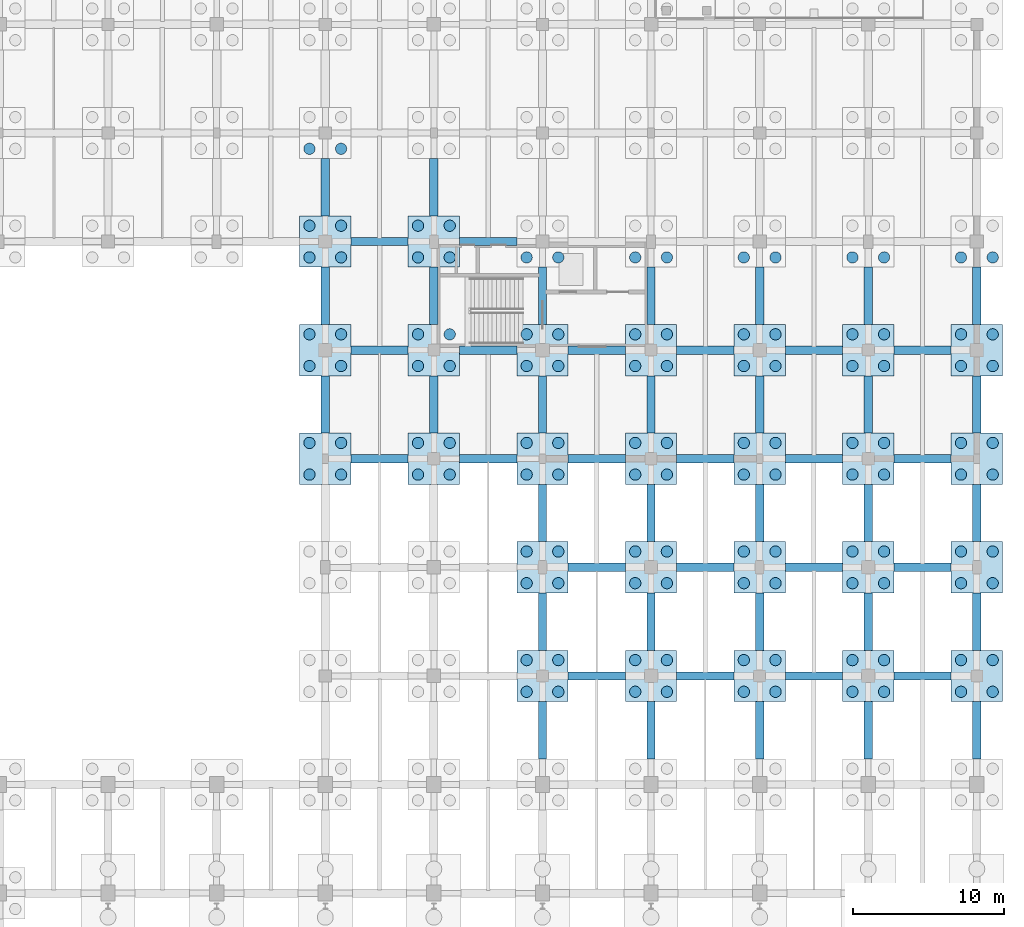
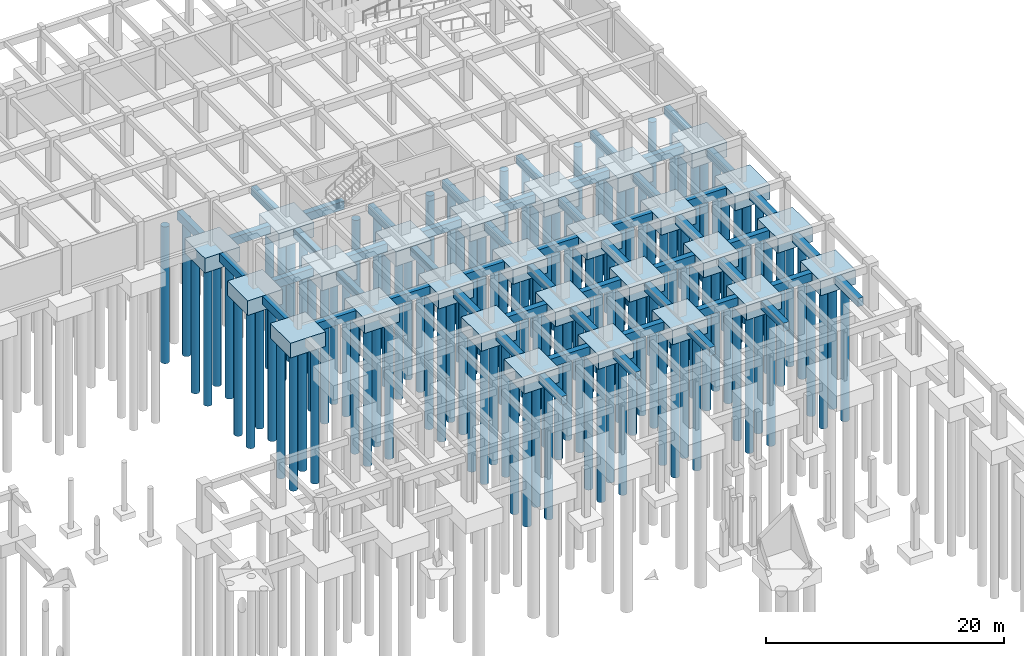
# One storey, part 12 of 47: 116 piles, 79 footings.
"""IFC4 building model written with IfcOpenShell, lengths in metres."""

from ifc_helpers import new_model, si_unit, direction, frame, origin, origin_2d, place, context, subcontext, project, spatial, rectangle, circle, extrude, material, material_profile, profile_set, type_object, element, save


model = new_model("IFC4")

# Units and contexts
model_context = context("Model", 3, precision=1e-05, world=origin(), true_north=direction((0.0, 1.0)))
body_context = subcontext(model_context, "Body", "Model", "MODEL_VIEW")
ifc_project = project(units=[si_unit("LENGTHUNIT", "METRE"), si_unit("AREAUNIT", "SQUARE_METRE"), si_unit("VOLUMEUNIT", "CUBIC_METRE"), si_unit("PLANEANGLEUNIT", "RADIAN"), si_unit("MASSUNIT", "GRAM", prefix="KILO")], contexts=[model_context])

# Site, building, storey
site_placement = place(None, origin())
site = spatial("IfcSite", under=ifc_project, at=site_placement, CompositionType="ELEMENT")
building_placement = place(site_placement, origin())
building = spatial("IfcBuilding", under=site, at=building_placement, Name="Thalmaran Polytechnic", CompositionType="ELEMENT")
storey_placement = place(building_placement, frame((0.0, 0.0, -4.5)))
storey = spatial("IfcBuildingStorey", under=building, at=storey_placement, Name="B1", CompositionType="ELEMENT", Elevation=-4.5)

# Footings
ifc_material_1 = material(Name="Concrete C40/50", Category="concrete")
ifc_material_profile_1 = material_profile(ifc_material_1, rectangle(XDim=0.550048828125, YDim=0.85009765625, at=origin_2d()), Name="RC 550x850")
ifc_profile_set_1 = profile_set([ifc_material_profile_1], Name="Concrete C40/50")
footing_type_1 = type_object("IfcFootingType", Name="FN-GB01", PredefinedType="FOOTING_BEAM", material=ifc_profile_set_1)
for number, where, z_axis, x_axis, name in (
    (1, (131.300048828125, 79.199951171875, -0.875), (1.0, 0.0, 0.0), (0.0, 1.0, 0.0), "Ground Tie Beam B1 X (18,11)"),
    (2, (129.60009765625, 80.89990234375, -0.875), (0.0, 1.0, 0.0), (-1.0, 0.0, 0.0), "Ground Tie Beam B1 Y (18,11)"),
    (3, (131.300048828125, 86.39990234375, -0.875), (1.0, 0.0, 0.0), (0.0, 1.0, 0.0), "Ground Tie Beam B1 X (18,12)"),
):
    element("IfcFooting", number, at=place(storey_placement, frame(where, z_axis=z_axis, x_axis=x_axis)), inside=storey, type_object=footing_type_1, Name=name, PredefinedType="FOOTING_BEAM", context=body_context, shape_type="SweptSolid", body=[
        extrude(rectangle(XDim=0.550048828125, YDim=0.85009765625, at=origin_2d()), origin(), (0.0, 0.0, 1.0), 3.800048828125),
    ])
footing_1_placement = place(storey_placement, frame((129.60009765625, 88.10009765625, -0.875), z_axis=(0.0, 1.0, 0.0), x_axis=(-1.0, 0.0, 0.0)))
element("IfcFooting", 4, at=footing_1_placement, inside=storey, type_object=footing_type_1, Name="Ground Tie Beam B1 Y (18,12)", PredefinedType="FOOTING_BEAM", context=body_context, shape_type="SweptSolid", body=[
    extrude(rectangle(XDim=0.550048828125, YDim=0.85009765625, at=origin_2d()), origin(), (0.0, 0.0, 1.0), 3.7998046875),
])
for number, where, z_axis, x_axis, name in (
    (5, (131.300048828125, 93.60009765625, -0.875), (1.0, 0.0, 0.0), (0.0, 1.0, 0.0), "Ground Tie Beam B1 X (18,13)"),
    (6, (129.60009765625, 95.300048828125, -0.875), (0.0, 1.0, 0.0), (-1.0, 0.0, 0.0), "Ground Tie Beam B1 Y (18,13)"),
    (7, (138.5, 79.199951171875, -0.875), (1.0, 0.0, 0.0), (0.0, 1.0, 0.0), "Ground Tie Beam B1 X (19,11)"),
    (8, (136.800048828125, 80.89990234375, -0.875), (0.0, 1.0, 0.0), (-1.0, 0.0, 0.0), "Ground Tie Beam B1 Y (19,11)"),
    (9, (138.5, 86.39990234375, -0.875), (1.0, 0.0, 0.0), (0.0, 1.0, 0.0), "Ground Tie Beam B1 X (19,12)"),
):
    element("IfcFooting", number, at=place(storey_placement, frame(where, z_axis=z_axis, x_axis=x_axis)), inside=storey, type_object=footing_type_1, Name=name, PredefinedType="FOOTING_BEAM", context=body_context, shape_type="SweptSolid", body=[
        extrude(rectangle(XDim=0.550048828125, YDim=0.85009765625, at=origin_2d()), origin(), (0.0, 0.0, 1.0), 3.800048828125),
    ])
footing_2_placement = place(storey_placement, frame((136.800048828125, 88.10009765625, -0.875), z_axis=(0.0, 1.0, 0.0), x_axis=(-1.0, 0.0, 0.0)))
element("IfcFooting", 10, at=footing_2_placement, inside=storey, type_object=footing_type_1, Name="Ground Tie Beam B1 Y (19,12)", PredefinedType="FOOTING_BEAM", context=body_context, shape_type="SweptSolid", body=[
    extrude(rectangle(XDim=0.550048828125, YDim=0.85009765625, at=origin_2d()), origin(), (0.0, 0.0, 1.0), 3.7998046875),
])
for number, where, z_axis, x_axis, name in (
    (11, (138.5, 93.60009765625, -0.875), (1.0, 0.0, 0.0), (0.0, 1.0, 0.0), "Ground Tie Beam B1 X (19,13)"),
    (12, (136.800048828125, 95.300048828125, -0.875), (0.0, 1.0, 0.0), (-1.0, 0.0, 0.0), "Ground Tie Beam B1 Y (19,13)"),
    (13, (144.0, 59.300048828125, -0.875), (0.0, 1.0, 0.0), (-1.0, 0.0, 0.0), "Ground Tie Beam B1 Y (20,8)"),
    (14, (145.699951171875, 64.800048828125, -0.875), (1.0, 0.0, 0.0), (0.0, 1.0, 0.0), "Ground Tie Beam B1 X (20,9)"),
    (15, (144.0, 66.5, -0.875), (0.0, 1.0, 0.0), (-1.0, 0.0, 0.0), "Ground Tie Beam B1 Y (20,9)"),
    (16, (145.699951171875, 72.0, -0.875), (1.0, 0.0, 0.0), (0.0, 1.0, 0.0), "Ground Tie Beam B1 X (20,10)"),
    (17, (144.0, 73.699951171875, -0.875), (0.0, 1.0, 0.0), (-1.0, 0.0, 0.0), "Ground Tie Beam B1 Y (20,10)"),
    (18, (145.699951171875, 79.199951171875, -0.875), (1.0, 0.0, 0.0), (0.0, 1.0, 0.0), "Ground Tie Beam B1 X (20,11)"),
    (19, (144.0, 80.89990234375, -0.875), (0.0, 1.0, 0.0), (-1.0, 0.0, 0.0), "Ground Tie Beam B1 Y (20,11)"),
    (20, (145.699951171875, 86.39990234375, -0.875), (1.0, 0.0, 0.0), (0.0, 1.0, 0.0), "Ground Tie Beam B1 X (20,12)"),
):
    element("IfcFooting", number, at=place(storey_placement, frame(where, z_axis=z_axis, x_axis=x_axis)), inside=storey, type_object=footing_type_1, Name=name, PredefinedType="FOOTING_BEAM", context=body_context, shape_type="SweptSolid", body=[
        extrude(rectangle(XDim=0.550048828125, YDim=0.85009765625, at=origin_2d()), origin(), (0.0, 0.0, 1.0), 3.800048828125),
    ])
footing_3_placement = place(storey_placement, frame((144.0, 88.10009765625, -0.875), z_axis=(0.0, 1.0, 0.0), x_axis=(-1.0, 0.0, 0.0)))
element("IfcFooting", 21, at=footing_3_placement, inside=storey, type_object=footing_type_1, Name="Ground Tie Beam B1 Y (20,12)", PredefinedType="FOOTING_BEAM", context=body_context, shape_type="SweptSolid", body=[
    extrude(rectangle(XDim=0.550048828125, YDim=0.85009765625, at=origin_2d()), origin(), (0.0, 0.0, 1.0), 3.7998046875),
])
for number, where, z_axis, x_axis, name in (
    (22, (151.199951171875, 59.300048828125, -0.875), (0.0, 1.0, 0.0), (-1.0, 0.0, 0.0), "Ground Tie Beam B1 Y (21,8)"),
    (23, (152.89990234375, 64.800048828125, -0.875), (1.0, 0.0, 0.0), (0.0, 1.0, 0.0), "Ground Tie Beam B1 X (21,9)"),
    (24, (151.199951171875, 66.5, -0.875), (0.0, 1.0, 0.0), (-1.0, 0.0, 0.0), "Ground Tie Beam B1 Y (21,9)"),
    (25, (152.89990234375, 72.0, -0.875), (1.0, 0.0, 0.0), (0.0, 1.0, 0.0), "Ground Tie Beam B1 X (21,10)"),
    (26, (151.199951171875, 73.699951171875, -0.875), (0.0, 1.0, 0.0), (-1.0, 0.0, 0.0), "Ground Tie Beam B1 Y (21,10)"),
    (27, (152.89990234375, 79.199951171875, -0.875), (1.0, 0.0, 0.0), (0.0, 1.0, 0.0), "Ground Tie Beam B1 X (21,11)"),
    (28, (151.199951171875, 80.89990234375, -0.875), (0.0, 1.0, 0.0), (-1.0, 0.0, 0.0), "Ground Tie Beam B1 Y (21,11)"),
    (29, (152.89990234375, 86.39990234375, -0.875), (1.0, 0.0, 0.0), (0.0, 1.0, 0.0), "Ground Tie Beam B1 X (21,12)"),
):
    element("IfcFooting", number, at=place(storey_placement, frame(where, z_axis=z_axis, x_axis=x_axis)), inside=storey, type_object=footing_type_1, Name=name, PredefinedType="FOOTING_BEAM", context=body_context, shape_type="SweptSolid", body=[
        extrude(rectangle(XDim=0.550048828125, YDim=0.85009765625, at=origin_2d()), origin(), (0.0, 0.0, 1.0), 3.800048828125),
    ])
footing_4_placement = place(storey_placement, frame((151.199951171875, 88.10009765625, -0.875), z_axis=(0.0, 1.0, 0.0), x_axis=(-1.0, 0.0, 0.0)))
element("IfcFooting", 30, at=footing_4_placement, inside=storey, type_object=footing_type_1, Name="Ground Tie Beam B1 Y (21,12)", PredefinedType="FOOTING_BEAM", context=body_context, shape_type="SweptSolid", body=[
    extrude(rectangle(XDim=0.550048828125, YDim=0.85009765625, at=origin_2d()), origin(), (0.0, 0.0, 1.0), 3.7998046875),
])
footing_5_placement = place(storey_placement, frame((158.39990234375, 59.300048828125, -0.875), z_axis=(0.0, 1.0, 0.0), x_axis=(-1.0, 0.0, 0.0)))
element("IfcFooting", 31, at=footing_5_placement, inside=storey, type_object=footing_type_1, Name="Ground Tie Beam B1 Y (22,8)", PredefinedType="FOOTING_BEAM", context=body_context, shape_type="SweptSolid", body=[
    extrude(rectangle(XDim=0.550048828125, YDim=0.85009765625, at=origin_2d()), origin(), (0.0, 0.0, 1.0), 3.800048828125),
])
footing_6_placement = place(storey_placement, frame((160.10009765625, 64.800048828125, -0.875), z_axis=(1.0, 0.0, 0.0), x_axis=(0.0, 1.0, 0.0)))
element("IfcFooting", 32, at=footing_6_placement, inside=storey, type_object=footing_type_1, Name="Ground Tie Beam B1 X (22,9)", PredefinedType="FOOTING_BEAM", context=body_context, shape_type="SweptSolid", body=[
    extrude(rectangle(XDim=0.550048828125, YDim=0.85009765625, at=origin_2d()), origin(), (0.0, 0.0, 1.0), 3.7998046875),
])
footing_7_placement = place(storey_placement, frame((158.39990234375, 66.5, -0.875), z_axis=(0.0, 1.0, 0.0), x_axis=(-1.0, 0.0, 0.0)))
element("IfcFooting", 33, at=footing_7_placement, inside=storey, type_object=footing_type_1, Name="Ground Tie Beam B1 Y (22,9)", PredefinedType="FOOTING_BEAM", context=body_context, shape_type="SweptSolid", body=[
    extrude(rectangle(XDim=0.550048828125, YDim=0.85009765625, at=origin_2d()), origin(), (0.0, 0.0, 1.0), 3.800048828125),
])
footing_8_placement = place(storey_placement, frame((160.10009765625, 72.0, -0.875), z_axis=(1.0, 0.0, 0.0), x_axis=(0.0, 1.0, 0.0)))
element("IfcFooting", 34, at=footing_8_placement, inside=storey, type_object=footing_type_1, Name="Ground Tie Beam B1 X (22,10)", PredefinedType="FOOTING_BEAM", context=body_context, shape_type="SweptSolid", body=[
    extrude(rectangle(XDim=0.550048828125, YDim=0.85009765625, at=origin_2d()), origin(), (0.0, 0.0, 1.0), 3.7998046875),
])
footing_9_placement = place(storey_placement, frame((158.39990234375, 73.699951171875, -0.875), z_axis=(0.0, 1.0, 0.0), x_axis=(-1.0, 0.0, 0.0)))
element("IfcFooting", 35, at=footing_9_placement, inside=storey, type_object=footing_type_1, Name="Ground Tie Beam B1 Y (22,10)", PredefinedType="FOOTING_BEAM", context=body_context, shape_type="SweptSolid", body=[
    extrude(rectangle(XDim=0.550048828125, YDim=0.85009765625, at=origin_2d()), origin(), (0.0, 0.0, 1.0), 3.800048828125),
])
footing_10_placement = place(storey_placement, frame((160.10009765625, 79.199951171875, -0.875), z_axis=(1.0, 0.0, 0.0), x_axis=(0.0, 1.0, 0.0)))
element("IfcFooting", 36, at=footing_10_placement, inside=storey, type_object=footing_type_1, Name="Ground Tie Beam B1 X (22,11)", PredefinedType="FOOTING_BEAM", context=body_context, shape_type="SweptSolid", body=[
    extrude(rectangle(XDim=0.550048828125, YDim=0.85009765625, at=origin_2d()), origin(), (0.0, 0.0, 1.0), 3.7998046875),
])
footing_11_placement = place(storey_placement, frame((158.39990234375, 80.89990234375, -0.875), z_axis=(0.0, 1.0, 0.0), x_axis=(-1.0, 0.0, 0.0)))
element("IfcFooting", 37, at=footing_11_placement, inside=storey, type_object=footing_type_1, Name="Ground Tie Beam B1 Y (22,11)", PredefinedType="FOOTING_BEAM", context=body_context, shape_type="SweptSolid", body=[
    extrude(rectangle(XDim=0.550048828125, YDim=0.85009765625, at=origin_2d()), origin(), (0.0, 0.0, 1.0), 3.800048828125),
])
for number, where, z_axis, x_axis, name in (
    (38, (160.10009765625, 86.39990234375, -0.875), (1.0, 0.0, 0.0), (0.0, 1.0, 0.0), "Ground Tie Beam B1 X (22,12)"),
    (39, (158.39990234375, 88.10009765625, -0.875), (0.0, 1.0, 0.0), (-1.0, 0.0, 0.0), "Ground Tie Beam B1 Y (22,12)"),
):
    element("IfcFooting", number, at=place(storey_placement, frame(where, z_axis=z_axis, x_axis=x_axis)), inside=storey, type_object=footing_type_1, Name=name, PredefinedType="FOOTING_BEAM", context=body_context, shape_type="SweptSolid", body=[
        extrude(rectangle(XDim=0.550048828125, YDim=0.85009765625, at=origin_2d()), origin(), (0.0, 0.0, 1.0), 3.7998046875),
    ])
for number, where, z_axis, x_axis, name in (
    (40, (165.60009765625, 59.300048828125, -0.875), (0.0, 1.0, 0.0), (-1.0, 0.0, 0.0), "Ground Tie Beam B1 Y (23,8)"),
    (41, (167.300048828125, 64.800048828125, -0.875), (1.0, 0.0, 0.0), (0.0, 1.0, 0.0), "Ground Tie Beam B1 X (23,9)"),
    (42, (165.60009765625, 66.5, -0.875), (0.0, 1.0, 0.0), (-1.0, 0.0, 0.0), "Ground Tie Beam B1 Y (23,9)"),
    (43, (167.300048828125, 72.0, -0.875), (1.0, 0.0, 0.0), (0.0, 1.0, 0.0), "Ground Tie Beam B1 X (23,10)"),
    (44, (165.60009765625, 73.699951171875, -0.875), (0.0, 1.0, 0.0), (-1.0, 0.0, 0.0), "Ground Tie Beam B1 Y (23,10)"),
    (45, (167.300048828125, 79.199951171875, -0.875), (1.0, 0.0, 0.0), (0.0, 1.0, 0.0), "Ground Tie Beam B1 X (23,11)"),
    (46, (165.60009765625, 80.89990234375, -0.875), (0.0, 1.0, 0.0), (-1.0, 0.0, 0.0), "Ground Tie Beam B1 Y (23,11)"),
    (47, (167.300048828125, 86.39990234375, -0.875), (1.0, 0.0, 0.0), (0.0, 1.0, 0.0), "Ground Tie Beam B1 X (23,12)"),
):
    element("IfcFooting", number, at=place(storey_placement, frame(where, z_axis=z_axis, x_axis=x_axis)), inside=storey, type_object=footing_type_1, Name=name, PredefinedType="FOOTING_BEAM", context=body_context, shape_type="SweptSolid", body=[
        extrude(rectangle(XDim=0.550048828125, YDim=0.85009765625, at=origin_2d()), origin(), (0.0, 0.0, 1.0), 3.800048828125),
    ])
footing_12_placement = place(storey_placement, frame((165.60009765625, 88.10009765625, -0.875), z_axis=(0.0, 1.0, 0.0), x_axis=(-1.0, 0.0, 0.0)))
element("IfcFooting", 48, at=footing_12_placement, inside=storey, type_object=footing_type_1, Name="Ground Tie Beam B1 Y (23,12)", PredefinedType="FOOTING_BEAM", context=body_context, shape_type="SweptSolid", body=[
    extrude(rectangle(XDim=0.550048828125, YDim=0.85009765625, at=origin_2d()), origin(), (0.0, 0.0, 1.0), 3.7998046875),
])
for number, where, z_axis, x_axis, name in (
    (49, (172.800048828125, 59.300048828125, -0.875), (0.0, 1.0, 0.0), (-1.0, 0.0, 0.0), "Ground Tie Beam B1 Y (24,8)"),
    (50, (172.800048828125, 66.5, -0.875), (0.0, 1.0, 0.0), (-1.0, 0.0, 0.0), "Ground Tie Beam B1 Y (24,9)"),
    (51, (172.800048828125, 73.699951171875, -0.875), (0.0, 1.0, 0.0), (-1.0, 0.0, 0.0), "Ground Tie Beam B1 Y (24,10)"),
    (52, (172.800048828125, 80.89990234375, -0.875), (0.0, 1.0, 0.0), (-1.0, 0.0, 0.0), "Ground Tie Beam B1 Y (24,11)"),
):
    element("IfcFooting", number, at=place(storey_placement, frame(where, z_axis=z_axis, x_axis=x_axis)), inside=storey, type_object=footing_type_1, Name=name, PredefinedType="FOOTING_BEAM", context=body_context, shape_type="SweptSolid", body=[
        extrude(rectangle(XDim=0.550048828125, YDim=0.85009765625, at=origin_2d()), origin(), (0.0, 0.0, 1.0), 3.800048828125),
    ])
footing_13_placement = place(storey_placement, frame((172.800048828125, 88.10009765625, -0.875), z_axis=(0.0, 1.0, 0.0), x_axis=(-1.0, 0.0, 0.0)))
element("IfcFooting", 53, at=footing_13_placement, inside=storey, type_object=footing_type_1, Name="Ground Tie Beam B1 Y (24,12)", PredefinedType="FOOTING_BEAM", context=body_context, shape_type="SweptSolid", body=[
    extrude(rectangle(XDim=0.550048828125, YDim=0.85009765625, at=origin_2d()), origin(), (0.0, 0.0, 1.0), 3.7998046875),
])
footing_type_2 = type_object("IfcFootingType", Name="FN-PC01", PredefinedType="PILE_CAP", material=ifc_material_1)
for number, where, z_axis, x_axis, name in (
    (54, (129.60009765625, 79.199951171875, -1.949951171875), (0.0, 0.0, 1.0), (1.0, 0.0, 0.0), "Pile Cap PC01 (18,11)"),
    (55, (129.60009765625, 86.39990234375, -1.949951171875), (0.0, 0.0, 1.0), (1.0, 0.0, 0.0), "Pile Cap PC01 (18,12)"),
    (56, (129.60009765625, 93.60009765625, -1.949951171875), (0.0, 0.0, 1.0), (1.0, 0.0, 0.0), "Pile Cap PC01 (18,13)"),
    (57, (136.800048828125, 79.199951171875, -1.949951171875), (0.0, 0.0, 1.0), (1.0, 0.0, 0.0), "Pile Cap PC01 (19,11)"),
    (58, (136.800048828125, 86.39990234375, -1.949951171875), (0.0, 0.0, 1.0), (1.0, 0.0, 0.0), "Pile Cap PC01 (19,12)"),
    (59, (136.800048828125, 93.60009765625, -1.949951171875), (0.0, 0.0, 1.0), (1.0, 0.0, 0.0), "Pile Cap PC01 (19,13)"),
    (60, (144.0, 64.800048828125, -1.949951171875), (0.0, 0.0, 1.0), (1.0, 0.0, 0.0), "Pile Cap PC01 (20,9)"),
    (61, (144.0, 72.0, -1.949951171875), (0.0, 0.0, 1.0), (1.0, 0.0, 0.0), "Pile Cap PC01 (20,10)"),
    (62, (144.0, 79.199951171875, -1.949951171875), (0.0, 0.0, 1.0), (1.0, 0.0, 0.0), "Pile Cap PC01 (20,11)"),
    (63, (144.0, 86.39990234375, -1.949951171875), (0.0, 0.0, 1.0), (1.0, 0.0, 0.0), "Pile Cap PC01 (20,12)"),
    (64, (151.199951171875, 64.800048828125, -1.949951171875), (0.0, 0.0, 1.0), (1.0, 0.0, 0.0), "Pile Cap PC01 (21,9)"),
    (65, (151.199951171875, 72.0, -1.949951171875), (0.0, 0.0, 1.0), (1.0, 0.0, 0.0), "Pile Cap PC01 (21,10)"),
    (66, (151.199951171875, 79.199951171875, -1.949951171875), (0.0, 0.0, 1.0), (1.0, 0.0, 0.0), "Pile Cap PC01 (21,11)"),
    (67, (151.199951171875, 86.39990234375, -1.949951171875), (0.0, 0.0, 1.0), (1.0, 0.0, 0.0), "Pile Cap PC01 (21,12)"),
    (68, (158.39990234375, 64.800048828125, -1.949951171875), (0.0, 0.0, 1.0), (1.0, 0.0, 0.0), "Pile Cap PC01 (22,9)"),
    (69, (158.39990234375, 72.0, -1.949951171875), (0.0, 0.0, 1.0), (1.0, 0.0, 0.0), "Pile Cap PC01 (22,10)"),
    (70, (158.39990234375, 79.199951171875, -1.949951171875), (0.0, 0.0, 1.0), (1.0, 0.0, 0.0), "Pile Cap PC01 (22,11)"),
    (71, (158.39990234375, 86.39990234375, -1.949951171875), (0.0, 0.0, 1.0), (1.0, 0.0, 0.0), "Pile Cap PC01 (22,12)"),
    (72, (165.60009765625, 64.800048828125, -1.949951171875), (0.0, 0.0, 1.0), (1.0, 0.0, 0.0), "Pile Cap PC01 (23,9)"),
    (73, (165.60009765625, 72.0, -1.949951171875), (0.0, 0.0, 1.0), (1.0, 0.0, 0.0), "Pile Cap PC01 (23,10)"),
    (74, (165.60009765625, 79.199951171875, -1.949951171875), (0.0, 0.0, 1.0), (1.0, 0.0, 0.0), "Pile Cap PC01 (23,11)"),
    (75, (165.60009765625, 86.39990234375, -1.949951171875), (0.0, 0.0, 1.0), (1.0, 0.0, 0.0), "Pile Cap PC01 (23,12)"),
    (76, (172.800048828125, 64.800048828125, -1.949951171875), (0.0, 0.0, 1.0), (1.0, 0.0, 0.0), "Pile Cap PC01 (24,9)"),
    (77, (172.800048828125, 72.0, -1.949951171875), (0.0, 0.0, 1.0), (1.0, 0.0, 0.0), "Pile Cap PC01 (24,10)"),
    (78, (172.800048828125, 79.199951171875, -1.949951171875), (0.0, 0.0, 1.0), (1.0, 0.0, 0.0), "Pile Cap PC01 (24,11)"),
    (79, (172.800048828125, 86.39990234375, -1.949951171875), (0.0, 0.0, 1.0), (1.0, 0.0, 0.0), "Pile Cap PC01 (24,12)"),
):
    element("IfcFooting", number, at=place(storey_placement, frame(where, z_axis=z_axis, x_axis=x_axis)), inside=storey, type_object=footing_type_2, Name=name, PredefinedType="PILE_CAP", context=body_context, shape_type="SweptSolid", body=[
        extrude(rectangle(XDim=3.39990234375, YDim=3.39990234375, at=origin_2d()), origin(), (0.0, 0.0, 1.0), 1.5),
    ])

# Piles
ifc_material_2 = material(Name="Concrete C35/45", Category="concrete")
ifc_material_profile_2 = material_profile(ifc_material_2, circle(Radius=0.375, at=origin_2d()), Name="RC 750 DIA")
ifc_profile_set_2 = profile_set([ifc_material_profile_2], Name="Concrete C35/45")
pile_type = type_object("IfcPileType", Name="PL-BP03", PredefinedType="BORED", material=ifc_profile_set_2)
for number, where, z_axis, x_axis, name in (
    (80, (128.550048828125, 78.14990234375, -1.949951171875), (0.0, 0.0, -1.0), (1.0, 0.0, 0.0), "Bored Pile BP03 (18,11)-1"),
    (81, (128.550048828125, 80.25, -1.949951171875), (0.0, 0.0, -1.0), (1.0, 0.0, 0.0), "Bored Pile BP03 (18,11)-2"),
    (82, (130.64990234375, 78.14990234375, -1.949951171875), (0.0, 0.0, -1.0), (1.0, 0.0, 0.0), "Bored Pile BP03 (18,11)-3"),
    (83, (130.64990234375, 80.25, -1.949951171875), (0.0, 0.0, -1.0), (1.0, 0.0, 0.0), "Bored Pile BP03 (18,11)-4"),
    (84, (128.550048828125, 85.35009765625, -1.949951171875), (0.0, 0.0, -1.0), (1.0, 0.0, 0.0), "Bored Pile BP03 (18,12)-1"),
    (85, (128.550048828125, 87.449951171875, -1.949951171875), (0.0, 0.0, -1.0), (1.0, 0.0, 0.0), "Bored Pile BP03 (18,12)-2"),
    (86, (130.64990234375, 85.35009765625, -1.949951171875), (0.0, 0.0, -1.0), (1.0, 0.0, 0.0), "Bored Pile BP03 (18,12)-3"),
    (87, (130.64990234375, 87.449951171875, -1.949951171875), (0.0, 0.0, -1.0), (1.0, 0.0, 0.0), "Bored Pile BP03 (18,12)-4"),
    (88, (128.550048828125, 92.550048828125, -1.949951171875), (0.0, 0.0, -1.0), (1.0, 0.0, 0.0), "Bored Pile BP03 (18,13)-1"),
    (89, (128.550048828125, 94.64990234375, -1.949951171875), (0.0, 0.0, -1.0), (1.0, 0.0, 0.0), "Bored Pile BP03 (18,13)-2"),
    (90, (130.64990234375, 92.550048828125, -1.949951171875), (0.0, 0.0, -1.0), (1.0, 0.0, 0.0), "Bored Pile BP03 (18,13)-3"),
    (91, (130.64990234375, 94.64990234375, -1.949951171875), (0.0, 0.0, -1.0), (1.0, 0.0, 0.0), "Bored Pile BP03 (18,13)-4"),
    (92, (128.550048828125, 99.75, -1.949951171875), (0.0, 0.0, -1.0), (1.0, 0.0, 0.0), "Bored Pile BP03 (18,14)-1"),
    (93, (130.64990234375, 99.75, -1.949951171875), (0.0, 0.0, -1.0), (1.0, 0.0, 0.0), "Bored Pile BP03 (18,14)-3"),
    (94, (135.75, 78.14990234375, -1.949951171875), (0.0, 0.0, -1.0), (1.0, 0.0, 0.0), "Bored Pile BP03 (19,11)-1"),
    (95, (135.75, 80.25, -1.949951171875), (0.0, 0.0, -1.0), (1.0, 0.0, 0.0), "Bored Pile BP03 (19,11)-2"),
    (96, (137.85009765625, 78.14990234375, -1.949951171875), (0.0, 0.0, -1.0), (1.0, 0.0, 0.0), "Bored Pile BP03 (19,11)-3"),
    (97, (137.85009765625, 80.25, -1.949951171875), (0.0, 0.0, -1.0), (1.0, 0.0, 0.0), "Bored Pile BP03 (19,11)-4"),
    (98, (135.75, 85.35009765625, -1.949951171875), (0.0, 0.0, -1.0), (1.0, 0.0, 0.0), "Bored Pile BP03 (19,12)-1"),
    (99, (135.75, 87.449951171875, -1.949951171875), (0.0, 0.0, -1.0), (1.0, 0.0, 0.0), "Bored Pile BP03 (19,12)-2"),
    (100, (137.85009765625, 85.35009765625, -1.949951171875), (0.0, 0.0, -1.0), (1.0, 0.0, 0.0), "Bored Pile BP03 (19,12)-3"),
    (101, (137.85009765625, 87.449951171875, -1.949951171875), (0.0, 0.0, -1.0), (1.0, 0.0, 0.0), "Bored Pile BP03 (19,12)-4"),
    (102, (135.75, 92.550048828125, -1.949951171875), (0.0, 0.0, -1.0), (1.0, 0.0, 0.0), "Bored Pile BP03 (19,13)-1"),
    (103, (135.75, 94.64990234375, -1.949951171875), (0.0, 0.0, -1.0), (1.0, 0.0, 0.0), "Bored Pile BP03 (19,13)-2"),
    (104, (137.85009765625, 92.550048828125, -1.949951171875), (0.0, 0.0, -1.0), (1.0, 0.0, 0.0), "Bored Pile BP03 (19,13)-3"),
    (105, (137.85009765625, 94.64990234375, -1.949951171875), (0.0, 0.0, -1.0), (1.0, 0.0, 0.0), "Bored Pile BP03 (19,13)-4"),
    (106, (142.949951171875, 63.75, -1.949951171875), (0.0, 0.0, -1.0), (1.0, 0.0, 0.0), "Bored Pile BP03 (20,9)-1"),
    (107, (142.949951171875, 65.85009765625, -1.949951171875), (0.0, 0.0, -1.0), (1.0, 0.0, 0.0), "Bored Pile BP03 (20,9)-2"),
    (108, (145.050048828125, 63.75, -1.949951171875), (0.0, 0.0, -1.0), (1.0, 0.0, 0.0), "Bored Pile BP03 (20,9)-3"),
    (109, (145.050048828125, 65.85009765625, -1.949951171875), (0.0, 0.0, -1.0), (1.0, 0.0, 0.0), "Bored Pile BP03 (20,9)-4"),
    (110, (142.949951171875, 70.949951171875, -1.949951171875), (0.0, 0.0, -1.0), (1.0, 0.0, 0.0), "Bored Pile BP03 (20,10)-1"),
    (111, (142.949951171875, 73.050048828125, -1.949951171875), (0.0, 0.0, -1.0), (1.0, 0.0, 0.0), "Bored Pile BP03 (20,10)-2"),
    (112, (145.050048828125, 70.949951171875, -1.949951171875), (0.0, 0.0, -1.0), (1.0, 0.0, 0.0), "Bored Pile BP03 (20,10)-3"),
    (113, (145.050048828125, 73.050048828125, -1.949951171875), (0.0, 0.0, -1.0), (1.0, 0.0, 0.0), "Bored Pile BP03 (20,10)-4"),
    (114, (142.949951171875, 78.14990234375, -1.949951171875), (0.0, 0.0, -1.0), (1.0, 0.0, 0.0), "Bored Pile BP03 (20,11)-1"),
    (115, (142.949951171875, 80.25, -1.949951171875), (0.0, 0.0, -1.0), (1.0, 0.0, 0.0), "Bored Pile BP03 (20,11)-2"),
    (116, (145.050048828125, 78.14990234375, -1.949951171875), (0.0, 0.0, -1.0), (1.0, 0.0, 0.0), "Bored Pile BP03 (20,11)-3"),
    (117, (145.050048828125, 80.25, -1.949951171875), (0.0, 0.0, -1.0), (1.0, 0.0, 0.0), "Bored Pile BP03 (20,11)-4"),
    (118, (142.949951171875, 85.35009765625, -1.949951171875), (0.0, 0.0, -1.0), (1.0, 0.0, 0.0), "Bored Pile BP03 (20,12)-1"),
    (119, (142.949951171875, 87.449951171875, -1.949951171875), (0.0, 0.0, -1.0), (1.0, 0.0, 0.0), "Bored Pile BP03 (20,12)-2"),
    (120, (145.050048828125, 85.35009765625, -1.949951171875), (0.0, 0.0, -1.0), (1.0, 0.0, 0.0), "Bored Pile BP03 (20,12)-3"),
    (121, (145.050048828125, 87.449951171875, -1.949951171875), (0.0, 0.0, -1.0), (1.0, 0.0, 0.0), "Bored Pile BP03 (20,12)-4"),
    (122, (142.949951171875, 92.550048828125, -1.949951171875), (0.0, 0.0, -1.0), (1.0, 0.0, 0.0), "Bored Pile BP03 (20,13)-1"),
    (123, (145.050048828125, 92.550048828125, -1.949951171875), (0.0, 0.0, -1.0), (1.0, 0.0, 0.0), "Bored Pile BP03 (20,13)-3"),
    (124, (150.14990234375, 63.75, -1.949951171875), (0.0, 0.0, -1.0), (1.0, 0.0, 0.0), "Bored Pile BP03 (21,9)-1"),
    (125, (150.14990234375, 65.85009765625, -1.949951171875), (0.0, 0.0, -1.0), (1.0, 0.0, 0.0), "Bored Pile BP03 (21,9)-2"),
    (126, (152.25, 63.75, -1.949951171875), (0.0, 0.0, -1.0), (1.0, 0.0, 0.0), "Bored Pile BP03 (21,9)-3"),
    (127, (152.25, 65.85009765625, -1.949951171875), (0.0, 0.0, -1.0), (1.0, 0.0, 0.0), "Bored Pile BP03 (21,9)-4"),
    (128, (150.14990234375, 70.949951171875, -1.949951171875), (0.0, 0.0, -1.0), (1.0, 0.0, 0.0), "Bored Pile BP03 (21,10)-1"),
    (129, (150.14990234375, 73.050048828125, -1.949951171875), (0.0, 0.0, -1.0), (1.0, 0.0, 0.0), "Bored Pile BP03 (21,10)-2"),
    (130, (152.25, 70.949951171875, -1.949951171875), (0.0, 0.0, -1.0), (1.0, 0.0, 0.0), "Bored Pile BP03 (21,10)-3"),
    (131, (152.25, 73.050048828125, -1.949951171875), (0.0, 0.0, -1.0), (1.0, 0.0, 0.0), "Bored Pile BP03 (21,10)-4"),
    (132, (150.14990234375, 78.14990234375, -1.949951171875), (0.0, 0.0, -1.0), (1.0, 0.0, 0.0), "Bored Pile BP03 (21,11)-1"),
    (133, (150.14990234375, 80.25, -1.949951171875), (0.0, 0.0, -1.0), (1.0, 0.0, 0.0), "Bored Pile BP03 (21,11)-2"),
    (134, (152.25, 78.14990234375, -1.949951171875), (0.0, 0.0, -1.0), (1.0, 0.0, 0.0), "Bored Pile BP03 (21,11)-3"),
    (135, (152.25, 80.25, -1.949951171875), (0.0, 0.0, -1.0), (1.0, 0.0, 0.0), "Bored Pile BP03 (21,11)-4"),
    (136, (150.14990234375, 85.35009765625, -1.949951171875), (0.0, 0.0, -1.0), (1.0, 0.0, 0.0), "Bored Pile BP03 (21,12)-1"),
    (137, (150.14990234375, 87.449951171875, -1.949951171875), (0.0, 0.0, -1.0), (1.0, 0.0, 0.0), "Bored Pile BP03 (21,12)-2"),
    (138, (152.25, 85.35009765625, -1.949951171875), (0.0, 0.0, -1.0), (1.0, 0.0, 0.0), "Bored Pile BP03 (21,12)-3"),
    (139, (152.25, 87.449951171875, -1.949951171875), (0.0, 0.0, -1.0), (1.0, 0.0, 0.0), "Bored Pile BP03 (21,12)-4"),
    (140, (150.14990234375, 92.550048828125, -1.949951171875), (0.0, 0.0, -1.0), (1.0, 0.0, 0.0), "Bored Pile BP03 (21,13)-1"),
    (141, (152.25, 92.550048828125, -1.949951171875), (0.0, 0.0, -1.0), (1.0, 0.0, 0.0), "Bored Pile BP03 (21,13)-3"),
    (142, (157.35009765625, 63.75, -1.949951171875), (0.0, 0.0, -1.0), (1.0, 0.0, 0.0), "Bored Pile BP03 (22,9)-1"),
    (143, (157.35009765625, 65.85009765625, -1.949951171875), (0.0, 0.0, -1.0), (1.0, 0.0, 0.0), "Bored Pile BP03 (22,9)-2"),
    (144, (159.449951171875, 63.75, -1.949951171875), (0.0, 0.0, -1.0), (1.0, 0.0, 0.0), "Bored Pile BP03 (22,9)-3"),
    (145, (159.449951171875, 65.85009765625, -1.949951171875), (0.0, 0.0, -1.0), (1.0, 0.0, 0.0), "Bored Pile BP03 (22,9)-4"),
    (146, (157.35009765625, 70.949951171875, -1.949951171875), (0.0, 0.0, -1.0), (1.0, 0.0, 0.0), "Bored Pile BP03 (22,10)-1"),
    (147, (157.35009765625, 73.050048828125, -1.949951171875), (0.0, 0.0, -1.0), (1.0, 0.0, 0.0), "Bored Pile BP03 (22,10)-2"),
    (148, (159.449951171875, 70.949951171875, -1.949951171875), (0.0, 0.0, -1.0), (1.0, 0.0, 0.0), "Bored Pile BP03 (22,10)-3"),
    (149, (159.449951171875, 73.050048828125, -1.949951171875), (0.0, 0.0, -1.0), (1.0, 0.0, 0.0), "Bored Pile BP03 (22,10)-4"),
    (150, (157.35009765625, 78.14990234375, -1.949951171875), (0.0, 0.0, -1.0), (1.0, 0.0, 0.0), "Bored Pile BP03 (22,11)-1"),
    (151, (157.35009765625, 80.25, -1.949951171875), (0.0, 0.0, -1.0), (1.0, 0.0, 0.0), "Bored Pile BP03 (22,11)-2"),
    (152, (159.449951171875, 78.14990234375, -1.949951171875), (0.0, 0.0, -1.0), (1.0, 0.0, 0.0), "Bored Pile BP03 (22,11)-3"),
    (153, (159.449951171875, 80.25, -1.949951171875), (0.0, 0.0, -1.0), (1.0, 0.0, 0.0), "Bored Pile BP03 (22,11)-4"),
    (154, (157.35009765625, 85.35009765625, -1.949951171875), (0.0, 0.0, -1.0), (1.0, 0.0, 0.0), "Bored Pile BP03 (22,12)-1"),
    (155, (157.35009765625, 87.449951171875, -1.949951171875), (0.0, 0.0, -1.0), (1.0, 0.0, 0.0), "Bored Pile BP03 (22,12)-2"),
    (156, (159.449951171875, 85.35009765625, -1.949951171875), (0.0, 0.0, -1.0), (1.0, 0.0, 0.0), "Bored Pile BP03 (22,12)-3"),
    (157, (159.449951171875, 87.449951171875, -1.949951171875), (0.0, 0.0, -1.0), (1.0, 0.0, 0.0), "Bored Pile BP03 (22,12)-4"),
    (158, (157.35009765625, 92.550048828125, -1.949951171875), (0.0, 0.0, -1.0), (1.0, 0.0, 0.0), "Bored Pile BP03 (22,13)-1"),
    (159, (159.449951171875, 92.550048828125, -1.949951171875), (0.0, 0.0, -1.0), (1.0, 0.0, 0.0), "Bored Pile BP03 (22,13)-3"),
    (160, (164.550048828125, 63.75, -1.949951171875), (0.0, 0.0, -1.0), (1.0, 0.0, 0.0), "Bored Pile BP03 (23,9)-1"),
    (161, (164.550048828125, 65.85009765625, -1.949951171875), (0.0, 0.0, -1.0), (1.0, 0.0, 0.0), "Bored Pile BP03 (23,9)-2"),
    (162, (166.64990234375, 63.75, -1.949951171875), (0.0, 0.0, -1.0), (1.0, 0.0, 0.0), "Bored Pile BP03 (23,9)-3"),
    (163, (166.64990234375, 65.85009765625, -1.949951171875), (0.0, 0.0, -1.0), (1.0, 0.0, 0.0), "Bored Pile BP03 (23,9)-4"),
    (164, (164.550048828125, 70.949951171875, -1.949951171875), (0.0, 0.0, -1.0), (1.0, 0.0, 0.0), "Bored Pile BP03 (23,10)-1"),
    (165, (164.550048828125, 73.050048828125, -1.949951171875), (0.0, 0.0, -1.0), (1.0, 0.0, 0.0), "Bored Pile BP03 (23,10)-2"),
    (166, (166.64990234375, 70.949951171875, -1.949951171875), (0.0, 0.0, -1.0), (1.0, 0.0, 0.0), "Bored Pile BP03 (23,10)-3"),
    (167, (166.64990234375, 73.050048828125, -1.949951171875), (0.0, 0.0, -1.0), (1.0, 0.0, 0.0), "Bored Pile BP03 (23,10)-4"),
    (168, (164.550048828125, 78.14990234375, -1.949951171875), (0.0, 0.0, -1.0), (1.0, 0.0, 0.0), "Bored Pile BP03 (23,11)-1"),
    (169, (164.550048828125, 80.25, -1.949951171875), (0.0, 0.0, -1.0), (1.0, 0.0, 0.0), "Bored Pile BP03 (23,11)-2"),
    (170, (166.64990234375, 78.14990234375, -1.949951171875), (0.0, 0.0, -1.0), (1.0, 0.0, 0.0), "Bored Pile BP03 (23,11)-3"),
    (171, (166.64990234375, 80.25, -1.949951171875), (0.0, 0.0, -1.0), (1.0, 0.0, 0.0), "Bored Pile BP03 (23,11)-4"),
    (172, (164.550048828125, 85.35009765625, -1.949951171875), (0.0, 0.0, -1.0), (1.0, 0.0, 0.0), "Bored Pile BP03 (23,12)-1"),
    (173, (164.550048828125, 87.449951171875, -1.949951171875), (0.0, 0.0, -1.0), (1.0, 0.0, 0.0), "Bored Pile BP03 (23,12)-2"),
    (174, (166.64990234375, 85.35009765625, -1.949951171875), (0.0, 0.0, -1.0), (1.0, 0.0, 0.0), "Bored Pile BP03 (23,12)-3"),
    (175, (166.64990234375, 87.449951171875, -1.949951171875), (0.0, 0.0, -1.0), (1.0, 0.0, 0.0), "Bored Pile BP03 (23,12)-4"),
    (176, (164.550048828125, 92.550048828125, -1.949951171875), (0.0, 0.0, -1.0), (1.0, 0.0, 0.0), "Bored Pile BP03 (23,13)-1"),
    (177, (166.64990234375, 92.550048828125, -1.949951171875), (0.0, 0.0, -1.0), (1.0, 0.0, 0.0), "Bored Pile BP03 (23,13)-3"),
    (178, (171.75, 63.75, -1.949951171875), (0.0, 0.0, -1.0), (1.0, 0.0, 0.0), "Bored Pile BP03 (24,9)-1"),
    (179, (171.75, 65.85009765625, -1.949951171875), (0.0, 0.0, -1.0), (1.0, 0.0, 0.0), "Bored Pile BP03 (24,9)-2"),
    (180, (173.85009765625, 63.75, -1.949951171875), (0.0, 0.0, -1.0), (1.0, 0.0, 0.0), "Bored Pile BP03 (24,9)-3"),
    (181, (173.85009765625, 65.85009765625, -1.949951171875), (0.0, 0.0, -1.0), (1.0, 0.0, 0.0), "Bored Pile BP03 (24,9)-4"),
    (182, (171.75, 70.949951171875, -1.949951171875), (0.0, 0.0, -1.0), (1.0, 0.0, 0.0), "Bored Pile BP03 (24,10)-1"),
    (183, (171.75, 73.050048828125, -1.949951171875), (0.0, 0.0, -1.0), (1.0, 0.0, 0.0), "Bored Pile BP03 (24,10)-2"),
    (184, (173.85009765625, 70.949951171875, -1.949951171875), (0.0, 0.0, -1.0), (1.0, 0.0, 0.0), "Bored Pile BP03 (24,10)-3"),
    (185, (173.85009765625, 73.050048828125, -1.949951171875), (0.0, 0.0, -1.0), (1.0, 0.0, 0.0), "Bored Pile BP03 (24,10)-4"),
    (186, (171.75, 78.14990234375, -1.949951171875), (0.0, 0.0, -1.0), (1.0, 0.0, 0.0), "Bored Pile BP03 (24,11)-1"),
    (187, (171.75, 80.25, -1.949951171875), (0.0, 0.0, -1.0), (1.0, 0.0, 0.0), "Bored Pile BP03 (24,11)-2"),
    (188, (173.85009765625, 78.14990234375, -1.949951171875), (0.0, 0.0, -1.0), (1.0, 0.0, 0.0), "Bored Pile BP03 (24,11)-3"),
    (189, (173.85009765625, 80.25, -1.949951171875), (0.0, 0.0, -1.0), (1.0, 0.0, 0.0), "Bored Pile BP03 (24,11)-4"),
    (190, (171.75, 85.35009765625, -1.949951171875), (0.0, 0.0, -1.0), (1.0, 0.0, 0.0), "Bored Pile BP03 (24,12)-1"),
    (191, (171.75, 87.449951171875, -1.949951171875), (0.0, 0.0, -1.0), (1.0, 0.0, 0.0), "Bored Pile BP03 (24,12)-2"),
    (192, (173.85009765625, 85.35009765625, -1.949951171875), (0.0, 0.0, -1.0), (1.0, 0.0, 0.0), "Bored Pile BP03 (24,12)-3"),
    (193, (173.85009765625, 87.449951171875, -1.949951171875), (0.0, 0.0, -1.0), (1.0, 0.0, 0.0), "Bored Pile BP03 (24,12)-4"),
    (194, (171.75, 92.550048828125, -1.949951171875), (0.0, 0.0, -1.0), (1.0, 0.0, 0.0), "Bored Pile BP03 (24,13)-1"),
    (195, (173.85009765625, 92.550048828125, -1.949951171875), (0.0, 0.0, -1.0), (1.0, 0.0, 0.0), "Bored Pile BP03 (24,13)-3"),
):
    element("IfcPile", number, at=place(storey_placement, frame(where, z_axis=z_axis, x_axis=x_axis)), inside=storey, type_object=pile_type, Name=name, PredefinedType="BORED", context=body_context, shape_type="SweptSolid", body=[
        extrude(circle(Radius=0.375, at=origin_2d()), origin(), (0.0, 0.0, 1.0), 14.050048828125),
    ])

save(model, "model.ifc")
